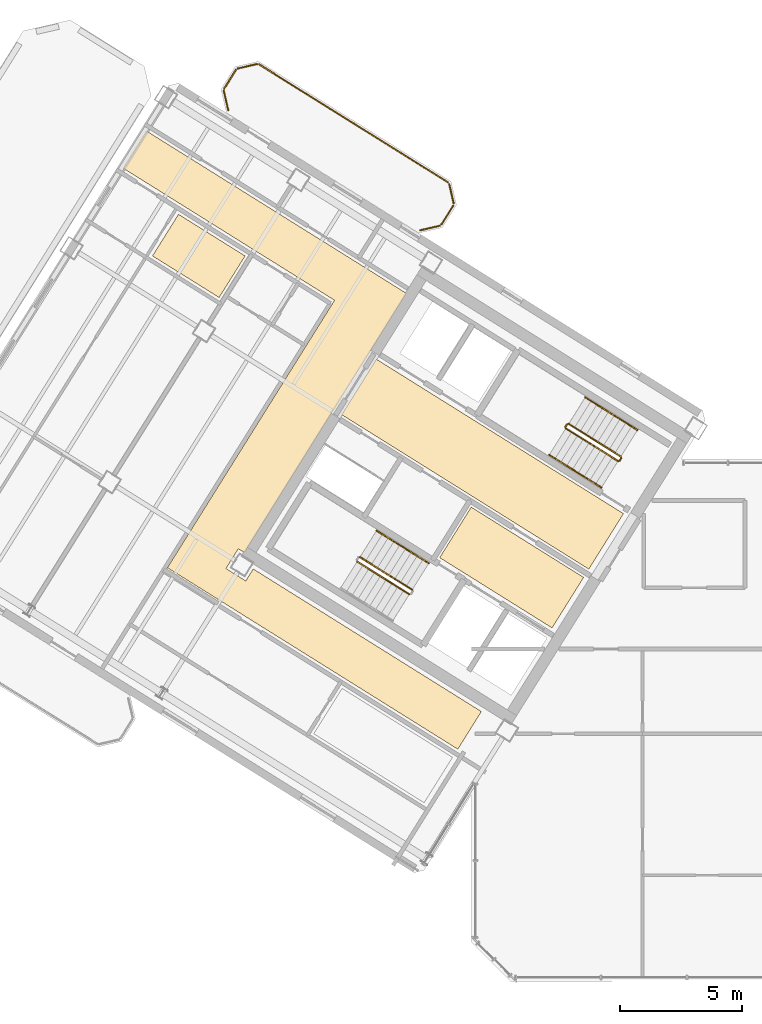
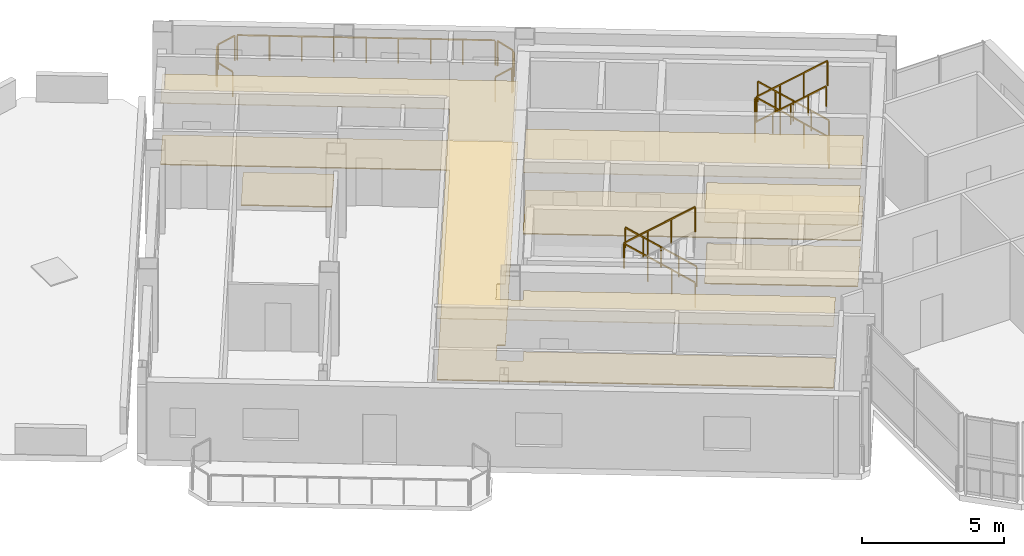
# One storey, part 12 of 12: 19 railings, 7 coverings.
"""IFC4 building model written with IfcOpenShell, lengths in metres."""

from ifc_helpers import new_model, si_unit, direction, frame, origin, origin_2d, place, context, subcontext, project, spatial, polyline, rectangle, outline, extrude, source, transform, mapped, material, layer, layer_set, type_object, element, save


model = new_model("IFC4")

# Units and contexts
model_context = context("Model", 3, precision=1e-05, world=origin(), true_north=direction((0.0, 1.0)))
body_context = subcontext(model_context, "Body", "Model", "MODEL_VIEW")
ifc_project = project(units=[si_unit("LENGTHUNIT", "METRE"), si_unit("AREAUNIT", "SQUARE_METRE"), si_unit("VOLUMEUNIT", "CUBIC_METRE"), si_unit("PLANEANGLEUNIT", "RADIAN"), si_unit("MASSUNIT", "GRAM", prefix="KILO")], contexts=[model_context])

# Site, building, storey
site_placement = place(None, origin())
site = spatial("IfcSite", under=ifc_project, at=site_placement, CompositionType="ELEMENT")
building_placement = place(site_placement, origin())
building = spatial("IfcBuilding", under=site, at=building_placement, Name="Tlacorven Tower", CompositionType="ELEMENT")
storey_placement = place(building_placement, frame((0.0, 0.0, 280.800048828125)))
storey = spatial("IfcBuildingStorey", under=building, at=storey_placement, Name="L71", CompositionType="ELEMENT", Elevation=280.800048828125)

# Coverings
ifc_material_1 = material(Name="Acoustic mineral-fibre ceiling")
ifc_layer_1 = layer(ifc_material_1, 0.02490234375)
ifc_layer_set_1 = layer_set([ifc_layer_1], Name="Acoustic mineral-fibre ceiling")
covering_type_1 = type_object("IfcCoveringType", Name="CV-CLG-ACST", PredefinedType="CEILING", material=ifc_layer_set_1)
covering_1_placement = place(storey_placement, frame((0.0, 0.0, 2.64990234375)))
element("IfcCovering", 1, at=covering_1_placement, inside=storey, type_object=covering_type_1, Name="L71 Acoustic Suspended Ceiling 1", PredefinedType="CEILING", context=body_context, shape_type="SweptSolid", body=[
    extrude(outline(polyline([(36.185302734375, 18.35595703125), (34.892333984375, 16.286865234375), (30.287353515625, 19.164306640625), (31.580322265625, 21.2333984375), (36.185302734375, 18.35595703125)])), origin(), (0.0, 0.0, 1.0), 0.025146484375),
])
covering_2_placement = place(storey_placement, frame((0.0, 0.0, 2.64990234375)))
element("IfcCovering", 2, at=covering_2_placement, inside=storey, type_object=covering_type_1, Name="L71 Acoustic Suspended Ceiling 2", PredefinedType="CEILING", context=body_context, shape_type="SweptSolid", body=[
    extrude(outline(polyline([(37.8173828125, 20.968017578125), (36.397216796875, 18.6953125), (26.271484375, 25.0224609375), (27.691650390625, 27.295166015625), (37.8173828125, 20.968017578125)])), origin(), (0.0, 0.0, 1.0), 0.025146484375),
])
covering_3_placement = place(storey_placement, frame((0.0, 0.0, 2.64990234375)))
element("IfcCovering", 3, at=covering_3_placement, inside=storey, type_object=covering_type_1, Name="L71 Acoustic Suspended Ceiling 3", PredefinedType="CEILING", context=body_context, shape_type="SweptSolid", body=[
    extrude(outline(polyline([(19.134033203125, 18.751953125), (25.980712890625, 29.708740234375), (17.313720703125, 35.12451171875), (18.267578125, 36.65087890625), (26.832763671875, 31.298828125), (28.927490234375, 29.98974609375), (22.291748046875, 19.37060546875), (22.0390625, 19.528564453125), (21.532470703125, 18.7177734375), (22.34326171875, 18.211181640625), (22.6494140625, 18.701416015625), (31.99658203125, 12.860595703125), (31.0322265625, 11.317138671875), (19.134033203125, 18.751953125)])), origin(), (0.0, 0.0, 1.0), 0.025146484375),
])
ifc_material_2 = material(Name="Terrazzo and ceramic flooring")
ifc_layer_2 = layer(ifc_material_2, 0.0400390625)
ifc_layer_set_2 = layer_set([ifc_layer_2], Name="Terrazzo and ceramic flooring")
covering_type_2 = type_object("IfcCoveringType", Name="CV-FLR-TERZ", PredefinedType="FLOORING", material=ifc_layer_set_2)
covering_4_placement = place(storey_placement, origin())
element("IfcCovering", 4, at=covering_4_placement, inside=storey, type_object=covering_type_2, Name="L71 Terrazzo Floor Finish 1", PredefinedType="FLOORING", context=body_context, shape_type="SweptSolid", body=[
    extrude(outline(polyline([(36.185302734375, 18.35595703125), (34.892333984375, 16.286865234375), (30.287353515625, 19.164306640625), (31.580322265625, 21.2333984375), (36.185302734375, 18.35595703125)])), origin(), (0.0, 0.0, 1.0), 0.0400390625),
])
covering_5_placement = place(storey_placement, origin())
element("IfcCovering", 5, at=covering_5_placement, inside=storey, type_object=covering_type_2, Name="L71 Terrazzo Floor Finish 2", PredefinedType="FLOORING", context=body_context, shape_type="SweptSolid", body=[
    extrude(outline(polyline([(37.8173828125, 20.968017578125), (36.397216796875, 18.6953125), (26.271484375, 25.0224609375), (27.691650390625, 27.295166015625), (37.8173828125, 20.968017578125)])), origin(), (0.0, 0.0, 1.0), 0.0400390625),
])
covering_6_placement = place(storey_placement, origin())
element("IfcCovering", 6, at=covering_6_placement, inside=storey, type_object=covering_type_2, Name="L71 Terrazzo Floor Finish 3", PredefinedType="FLOORING", context=body_context, shape_type="SweptSolid", body=[
    extrude(outline(polyline([(19.134033203125, 18.751953125), (25.980712890625, 29.708740234375), (17.313720703125, 35.12451171875), (18.267578125, 36.65087890625), (26.832763671875, 31.298828125), (28.927490234375, 29.98974609375), (22.291748046875, 19.37060546875), (22.0390625, 19.528564453125), (21.532470703125, 18.7177734375), (22.34326171875, 18.211181640625), (22.6494140625, 18.701416015625), (31.99658203125, 12.860595703125), (31.0322265625, 11.317138671875), (19.134033203125, 18.751953125)])), origin(), (0.0, 0.0, 1.0), 0.0400390625),
])
covering_7_placement = place(storey_placement, origin())
element("IfcCovering", 7, at=covering_7_placement, inside=storey, type_object=covering_type_2, Name="L71 Porcelain Wet-Room Floor Finish 4", PredefinedType="FLOORING", context=body_context, shape_type="SweptSolid", body=[
    extrude(outline(polyline([(22.317138671875, 31.526123046875), (21.251953125, 29.82177734375), (18.521240234375, 31.528076171875), (19.58642578125, 33.232666015625), (22.317138671875, 31.526123046875)])), origin(), (0.0, 0.0, 1.0), 0.0400390625),
])

# Railings
ifc_material_3 = material(Name="Aluminium and painted steel balustrade", Category="steel")
railing_type_1 = type_object("IfcRailingType", Name="RL-BAL-1100", PredefinedType="BALUSTRADE", material=ifc_material_3)
shared_shape_1 = source(origin(), body_context, "Body", "SweptSolid", [
    extrude(rectangle(XDim=0.048095703125, YDim=0.048095703125, at=origin_2d()), frame((0.0, 0.0, 1.076171875), z_axis=(0.225058334816, -0.974345290916, 0.0), x_axis=(0.974345290916, 0.225058334816, 0.0)), (0.0, 0.0, 1.0), 0.80712890625),
    extrude(rectangle(XDim=0.0419921875, YDim=0.0419921875, at=origin_2d()), origin(), (0.0, 0.0, 1.0), 1.052001953125),
    extrude(rectangle(XDim=0.0419921875, YDim=0.0419921875, at=origin_2d()), frame((0.181640625, -0.786376953125, 0.0)), (0.0, 0.0, 1.0), 1.052001953125),
])
railing_1_placement = place(storey_placement, frame((30.6796875, 34.466064453125, 0.0)))
element("IfcRailing", 8, at=railing_1_placement, inside=storey, type_object=railing_type_1, Name="BAL-L71-W-IN Guard Railing 1", PredefinedType="BALUSTRADE", context=body_context, shape_type="MappedRepresentation", body=[
    mapped(shared_shape_1, transform((0.0, 0.0, 0.0), scale=1.0)),
])
shared_shape_2 = source(origin(), body_context, "Body", "SweptSolid", [
    extrude(rectangle(XDim=0.048095703125, YDim=0.048095703125, at=origin_2d()), frame((0.0, 0.0, 1.076171875), z_axis=(-0.52987865805, -0.848073468364, 0.0), x_axis=(0.848073468364, -0.52987865805, 0.0)), (0.0, 0.0, 1.0), 0.912353515625),
    extrude(rectangle(XDim=0.0419921875, YDim=0.0419921875, at=origin_2d()), origin(), (0.0, 0.0, 1.0), 1.052001953125),
    extrude(rectangle(XDim=0.0419921875, YDim=0.0419921875, at=origin_2d()), frame((-0.4833984375, -0.773681640625, 0.0)), (0.0, 0.0, 1.0), 1.052001953125),
])
railing_2_placement = place(storey_placement, frame((30.845947265625, 33.588623046875, 0.0)))
element("IfcRailing", 9, at=railing_2_placement, inside=storey, type_object=railing_type_1, Name="BAL-L71-W-IN Guard Railing 2", PredefinedType="BALUSTRADE", context=body_context, shape_type="MappedRepresentation", body=[
    mapped(shared_shape_2, transform((0.0, 0.0, 0.0), scale=1.0)),
])
shared_shape_3 = source(origin(), body_context, "Body", "SweptSolid", [
    extrude(rectangle(XDim=0.048095703125, YDim=0.048095703125, at=origin_2d()), frame((0.0, 0.0, 1.076171875), z_axis=(-0.225058334816, 0.974345290916, 0.0), x_axis=(-0.974345290916, -0.225058334816, 0.0)), (0.0, 0.0, 1.0), 0.80712890625),
    extrude(rectangle(XDim=0.0419921875, YDim=0.0419921875, at=origin_2d()), origin(), (0.0, 0.0, 1.0), 1.052001953125),
    extrude(rectangle(XDim=0.0419921875, YDim=0.0419921875, at=origin_2d()), frame((-0.181640625, 0.786376953125, 0.0)), (0.0, 0.0, 1.0), 1.052001953125),
])
railing_3_placement = place(storey_placement, frame((21.62451171875, 37.501708984375, 0.0)))
element("IfcRailing", 10, at=railing_3_placement, inside=storey, type_object=railing_type_1, Name="BAL-L71-W-IN Guard Railing 4", PredefinedType="BALUSTRADE", context=body_context, shape_type="MappedRepresentation", body=[
    mapped(shared_shape_3, transform((0.0, 0.0, 0.0), scale=1.0)),
])
shared_shape_4 = source(origin(), body_context, "Body", "SweptSolid", [
    extrude(rectangle(XDim=0.048095703125, YDim=0.048095703125, at=origin_2d()), frame((0.0, 0.0, 1.076171875), z_axis=(0.52987865805, 0.848073468364, 0.0), x_axis=(-0.848073468364, 0.52987865805, 0.0)), (0.0, 0.0, 1.0), 0.912353515625),
    extrude(rectangle(XDim=0.0419921875, YDim=0.0419921875, at=origin_2d()), origin(), (0.0, 0.0, 1.0), 1.052001953125),
    extrude(rectangle(XDim=0.0419921875, YDim=0.0419921875, at=origin_2d()), frame((0.4833984375, 0.773681640625, 0.0)), (0.0, 0.0, 1.0), 1.052001953125),
])
railing_4_placement = place(storey_placement, frame((21.4580078125, 38.379150390625, 0.0)))
element("IfcRailing", 11, at=railing_4_placement, inside=storey, type_object=railing_type_1, Name="BAL-L71-W-IN Guard Railing 5", PredefinedType="BALUSTRADE", context=body_context, shape_type="MappedRepresentation", body=[
    mapped(shared_shape_4, transform((0.0, 0.0, 0.0), scale=1.0)),
])
shared_shape_5 = source(origin(), body_context, "Body", "SweptSolid", [
    extrude(rectangle(XDim=0.048095703125, YDim=0.048095703125, at=origin_2d()), frame((0.0, 0.0, 1.076171875), z_axis=(-0.974345290916, -0.225058334816, 0.0), x_axis=(0.225058334816, -0.974345290916, 0.0)), (0.0, 0.0, 1.0), 0.80712890625),
    extrude(rectangle(XDim=0.0419921875, YDim=0.0419921875, at=origin_2d()), origin(), (0.0, 0.0, 1.0), 1.052001953125),
    extrude(rectangle(XDim=0.0419921875, YDim=0.0419921875, at=origin_2d()), frame((-0.786376953125, -0.181640625, 0.0)), (0.0, 0.0, 1.0), 1.052001953125),
])
railing_5_placement = place(storey_placement, frame((30.287353515625, 32.761474609375, 0.0)))
element("IfcRailing", 12, at=railing_5_placement, inside=storey, type_object=railing_type_1, Name="BAL-L71-W-IN Guard Railing 3", PredefinedType="BALUSTRADE", context=body_context, shape_type="MappedRepresentation", body=[
    mapped(shared_shape_5, transform((0.0, 0.0, 0.0), scale=1.0)),
])
shared_shape_6 = source(origin(), body_context, "Body", "SweptSolid", [
    extrude(rectangle(XDim=0.048095703125, YDim=0.048095703125, at=origin_2d()), frame((0.0, 0.0, 1.076171875), z_axis=(0.974360606036, 0.224992020761, 0.0), x_axis=(-0.224992020761, 0.974360606036, 0.0)), (0.0, 0.0, 1.0), 0.807373046875),
    extrude(rectangle(XDim=0.0419921875, YDim=0.0419921875, at=origin_2d()), origin(), (0.0, 0.0, 1.0), 1.052001953125),
    extrude(rectangle(XDim=0.0419921875, YDim=0.0419921875, at=origin_2d()), frame((0.78662109375, 0.181640625, 0.0)), (0.0, 0.0, 1.0), 1.052001953125),
])
railing_6_placement = place(storey_placement, frame((22.0166015625, 39.206298828125, 0.0)))
element("IfcRailing", 13, at=railing_6_placement, inside=storey, type_object=railing_type_1, Name="BAL-L71-W-IN Guard Railing 6", PredefinedType="BALUSTRADE", context=body_context, shape_type="MappedRepresentation", body=[
    mapped(shared_shape_6, transform((0.0, 0.0, 0.0), scale=1.0)),
])
shared_shape_7 = source(origin(), body_context, "Body", "SweptSolid", [
    extrude(rectangle(XDim=0.048095703125, YDim=0.048095703125, at=origin_2d()), frame((0.0, 0.0, 1.076171875), z_axis=(0.848035911573, -0.529938763144, 0.0), x_axis=(0.529938763144, 0.848035911573, 0.0)), (0.0, 0.0, 1.0), 9.1171875),
    extrude(rectangle(XDim=0.0419921875, YDim=0.0419921875, at=origin_2d()), origin(), (0.0, 0.0, 1.0), 1.052001953125),
    extrude(rectangle(XDim=0.0419921875, YDim=0.0419921875, at=origin_2d()), frame((0.966552734375, -0.60400390625, 0.0)), (0.0, 0.0, 1.0), 1.052001953125),
    extrude(rectangle(XDim=0.0419921875, YDim=0.0419921875, at=origin_2d()), frame((1.932861328125, -1.2080078125, 0.0)), (0.0, 0.0, 1.0), 1.052001953125),
    extrude(rectangle(XDim=0.0419921875, YDim=0.0419921875, at=origin_2d()), frame((2.8994140625, -1.811767578125, 0.0)), (0.0, 0.0, 1.0), 1.052001953125),
    extrude(rectangle(XDim=0.0419921875, YDim=0.0419921875, at=origin_2d()), frame((3.86572265625, -2.415771484375, 0.0)), (0.0, 0.0, 1.0), 1.052001953125),
    extrude(rectangle(XDim=0.0419921875, YDim=0.0419921875, at=origin_2d()), frame((4.832275390625, -3.019775390625, 0.0)), (0.0, 0.0, 1.0), 1.052001953125),
    extrude(rectangle(XDim=0.0419921875, YDim=0.0419921875, at=origin_2d()), frame((5.798828125, -3.62353515625, 0.0)), (0.0, 0.0, 1.0), 1.052001953125),
    extrude(rectangle(XDim=0.0419921875, YDim=0.0419921875, at=origin_2d()), frame((6.76513671875, -4.2275390625, 0.0)), (0.0, 0.0, 1.0), 1.052001953125),
    extrude(rectangle(XDim=0.0419921875, YDim=0.0419921875, at=origin_2d()), frame((7.731689453125, -4.83154296875, 0.0)), (0.0, 0.0, 1.0), 1.052001953125),
])
railing_7_placement = place(storey_placement, frame((22.894287109375, 39.372802734375, 0.0)))
element("IfcRailing", 14, at=railing_7_placement, inside=storey, type_object=railing_type_1, Name="BAL-L71-W-IN Guard Railing 7", PredefinedType="BALUSTRADE", context=body_context, shape_type="MappedRepresentation", body=[
    mapped(shared_shape_7, transform((0.0, 0.0, 0.0), scale=1.0)),
])
railing_type_2 = type_object("IfcRailingType", Name="RL-GRD-1100", PredefinedType="GUARDRAIL", material=ifc_material_3)
shared_shape_8 = source(origin(), body_context, "Body", "SweptSolid", [
    extrude(rectangle(XDim=0.048095703125, YDim=0.048095703125, at=origin_2d()), frame((0.0, 0.0, 1.076171875), z_axis=(-0.713319727316, 0.445773895627, 0.540796265334), x_axis=(-0.529955395941, -0.84802551749, 0.0)), (0.0, 0.0, 1.0), 2.995849609375),
    extrude(rectangle(XDim=0.0419921875, YDim=0.0419921875, at=origin_2d()), origin(), (0.0, 0.0, 1.0), 1.052001953125),
    extrude(rectangle(XDim=0.0419921875, YDim=0.0419921875, at=origin_2d()), frame((-0.71240234375, 0.445068359375, 0.5400390625)), (0.0, 0.0, 1.0), 1.052001953125),
    extrude(rectangle(XDim=0.0419921875, YDim=0.0419921875, at=origin_2d()), frame((-1.424560546875, 0.890380859375, 1.080078125)), (0.0, 0.0, 1.0), 1.052001953125),
    extrude(rectangle(XDim=0.0419921875, YDim=0.0419921875, at=origin_2d()), frame((-2.136962890625, 1.33544921875, 1.6201171875)), (0.0, 0.0, 1.0), 1.052001953125),
])
for number, where, name in (
    (15, (29.16064453125, 17.851806640625, 0.179931640625), "L71 ST-W1 stair guard 1"),
    (16, (37.712158203125, 23.3095703125, 0.179931640625), "L71 ST-W2 stair guard 1"),
):
    element("IfcRailing", number, at=place(storey_placement, frame(where)), inside=storey, type_object=railing_type_2, Name=name, PredefinedType="GUARDRAIL", context=body_context, shape_type="MappedRepresentation", body=[
        mapped(shared_shape_8, transform((0.0, 0.0, 0.0), scale=1.0)),
    ])
shared_shape_9 = source(origin(), body_context, "Body", "SweptSolid", [
    extrude(rectangle(XDim=0.048095703125, YDim=0.048095703125, at=origin_2d()), frame((0.0, 0.0, 1.076171875), z_axis=(-0.530546985787, -0.847655529016, 0.0), x_axis=(0.847655529016, -0.530546985787, 0.0)), (0.0, 0.0, 1.0), 0.1201171875),
    extrude(rectangle(XDim=0.0419921875, YDim=0.0419921875, at=origin_2d()), origin(), (0.0, 0.0, 1.0), 1.052001953125),
    extrude(rectangle(XDim=0.0419921875, YDim=0.0419921875, at=origin_2d()), frame((-0.063720703125, -0.101806640625, 0.0)), (0.0, 0.0, 1.0), 1.052001953125),
])
railing_8_placement = place(storey_placement, frame((37.728271484375, 23.24072265625, 0.0)))
element("IfcRailing", 17, at=railing_8_placement, inside=storey, type_object=railing_type_2, Name="L71 ST-W2 stair guard 4", PredefinedType="GUARDRAIL", context=body_context, shape_type="MappedRepresentation", body=[
    mapped(shared_shape_9, transform((0.0, 0.0, 0.0), scale=1.0)),
])
railing_type_3 = type_object("IfcRailingType", Name="RL-HND-0900", PredefinedType="HANDRAIL", material=ifc_material_3)
shared_shape_10 = source(origin(), body_context, "Body", "SweptSolid", [
    extrude(rectangle(XDim=0.048095703125, YDim=0.048095703125, at=origin_2d()), frame((0.0, 0.0, 0.8759765625), z_axis=(-0.713359751793, 0.4457479829, 0.540764828981), x_axis=(-0.529911857636, -0.848052724267, 0.0)), (0.0, 0.0, 1.0), 1.498046875),
    extrude(rectangle(XDim=0.0419921875, YDim=0.0419921875, at=origin_2d()), origin(), (0.0, 0.0, 1.0), 0.851806640625),
    extrude(rectangle(XDim=0.0419921875, YDim=0.0419921875, at=origin_2d()), frame((-0.5341796875, 0.333984375, 0.405029296875)), (0.0, 0.0, 1.0), 0.851806640625),
    extrude(rectangle(XDim=0.0419921875, YDim=0.0419921875, at=origin_2d()), frame((-1.068603515625, 0.667724609375, 0.81005859375)), (0.0, 0.0, 1.0), 0.851806640625),
])
for number, where, name in (
    (18, (29.839111328125, 18.937255859375, 0.179931640625), "L71 ST-W1 stair handrail 1"),
    (19, (28.7705078125, 19.60498046875, 0.989990234375), "L71 ST-W1 stair handrail 2"),
    (20, (38.390625, 24.39501953125, 0.179931640625), "L71 ST-W2 stair handrail 1"),
    (21, (37.322021484375, 25.062744140625, 0.989990234375), "L71 ST-W2 stair handrail 2"),
):
    element("IfcRailing", number, at=place(storey_placement, frame(where)), inside=storey, type_object=railing_type_3, Name=name, PredefinedType="HANDRAIL", context=body_context, shape_type="MappedRepresentation", body=[
        mapped(shared_shape_10, transform((0.0, 0.0, 0.0), scale=1.0)),
    ])
shared_shape_11 = source(origin(), body_context, "Body", "SweptSolid", [
    extrude(rectangle(XDim=0.048095703125, YDim=0.048095703125, at=origin_2d()), frame((0.0, 0.0, 0.8759765625), z_axis=(0.713359751793, -0.4457479829, 0.540764828981), x_axis=(0.529911857636, 0.848052724267, 0.0)), (0.0, 0.0, 1.0), 1.498046875),
    extrude(rectangle(XDim=0.0419921875, YDim=0.0419921875, at=origin_2d()), origin(), (0.0, 0.0, 1.0), 0.851806640625),
    extrude(rectangle(XDim=0.0419921875, YDim=0.0419921875, at=origin_2d()), frame((0.5341796875, -0.333984375, 0.405029296875)), (0.0, 0.0, 1.0), 0.851806640625),
    extrude(rectangle(XDim=0.0419921875, YDim=0.0419921875, at=origin_2d()), frame((1.068603515625, -0.667724609375, 0.81005859375)), (0.0, 0.0, 1.0), 0.851806640625),
])
railing_9_placement = place(storey_placement, frame((34.7802734375, 23.372802734375, 1.97998046875)))
element("IfcRailing", 22, at=railing_9_placement, inside=storey, type_object=railing_type_3, Name="L71 ST-W2 stair handrail 3", PredefinedType="HANDRAIL", context=body_context, shape_type="MappedRepresentation", body=[
    mapped(shared_shape_11, transform((0.0, 0.0, 0.0), scale=1.0)),
])
shared_shape_12 = source(origin(), body_context, "Body", "SweptSolid", [
    extrude(rectangle(XDim=0.048095703125, YDim=0.048095703125, at=origin_2d()), frame((0.0, 0.0, 1.076171875), z_axis=(0.71339118691, -0.44576762536, 0.540707165313), x_axis=(0.529911857636, 0.848052724267, 0.0)), (0.0, 0.0, 1.0), 2.995849609375),
    extrude(rectangle(XDim=0.0419921875, YDim=0.0419921875, at=origin_2d()), origin(), (0.0, 0.0, 1.0), 1.052001953125),
    extrude(rectangle(XDim=0.0419921875, YDim=0.0419921875, at=origin_2d()), frame((0.71240234375, -0.445068359375, 0.5400390625)), (0.0, 0.0, 1.0), 1.052001953125),
    extrude(rectangle(XDim=0.0419921875, YDim=0.0419921875, at=origin_2d()), frame((1.4248046875, -0.890380859375, 1.079833984375)), (0.0, 0.0, 1.0), 1.052001953125),
    extrude(rectangle(XDim=0.0419921875, YDim=0.0419921875, at=origin_2d()), frame((2.13720703125, -1.33544921875, 1.619873046875)), (0.0, 0.0, 1.0), 1.052001953125),
])
railing_10_placement = place(storey_placement, frame((26.906982421875, 19.000732421875, 1.97998046875)))
element("IfcRailing", 23, at=railing_10_placement, inside=storey, type_object=railing_type_2, Name="L71 ST-W1 stair guard 3", PredefinedType="GUARDRAIL", context=body_context, shape_type="MappedRepresentation", body=[
    mapped(shared_shape_12, transform((0.0, 0.0, 0.0), scale=1.0)),
])
shared_shape_13 = source(origin(), body_context, "Body", "SweptSolid", [
    extrude(rectangle(XDim=0.048095703125, YDim=0.048095703125, at=origin_2d()), frame((0.0, 0.0, 0.8759765625), z_axis=(0.713422621445, -0.445787267455, 0.540649494022), x_axis=(0.529911857636, 0.848052724267, 0.0)), (0.0, 0.0, 1.0), 1.497802734375),
    extrude(rectangle(XDim=0.0419921875, YDim=0.0419921875, at=origin_2d()), origin(), (0.0, 0.0, 1.0), 0.851806640625),
    extrude(rectangle(XDim=0.0419921875, YDim=0.0419921875, at=origin_2d()), frame((0.5341796875, -0.333984375, 0.40478515625)), (0.0, 0.0, 1.0), 0.851806640625),
    extrude(rectangle(XDim=0.0419921875, YDim=0.0419921875, at=origin_2d()), frame((1.068603515625, -0.667724609375, 0.809814453125)), (0.0, 0.0, 1.0), 0.851806640625),
])
railing_11_placement = place(storey_placement, frame((35.848876953125, 22.705078125, 2.7900390625)))
element("IfcRailing", 24, at=railing_11_placement, inside=storey, type_object=railing_type_3, Name="L71 ST-W2 stair handrail 4", PredefinedType="HANDRAIL", context=body_context, shape_type="MappedRepresentation", body=[
    mapped(shared_shape_13, transform((0.0, 0.0, 0.0), scale=1.0)),
])
shared_shape_14 = source(origin(), body_context, "Body", "SweptSolid", [
    extrude(rectangle(XDim=0.048095703125, YDim=0.048095703125, at=origin_2d()), frame((0.0, 0.0, 1.076171875), z_axis=(-0.531462422766, -0.847081869236, 0.0), x_axis=(0.847081869236, -0.531462422766, 0.0)), (0.0, 0.0, 1.0), 0.119873046875),
    extrude(rectangle(XDim=0.0419921875, YDim=0.0419921875, at=origin_2d()), origin(), (0.0, 0.0, 1.0), 1.052001953125),
    extrude(rectangle(XDim=0.0419921875, YDim=0.0419921875, at=origin_2d()), frame((-0.063720703125, -0.1015625, 0.0)), (0.0, 0.0, 1.0), 1.052001953125),
])
railing_12_placement = place(storey_placement, frame((35.50634765625, 24.62890625, 1.800048828125)))
element("IfcRailing", 25, at=railing_12_placement, inside=storey, type_object=railing_type_2, Name="L71 ST-W2 stair guard 2", PredefinedType="GUARDRAIL", context=body_context, shape_type="MappedRepresentation", body=[
    mapped(shared_shape_14, transform((0.0, 0.0, 0.0), scale=1.0)),
])
shared_shape_15 = source(origin(), body_context, "Body", "SweptSolid", [
    extrude(rectangle(XDim=0.048095703125, YDim=0.048095703125, at=origin_2d()), frame((0.0, 0.0, 1.076171875), z_axis=(0.713417101326, -0.445702322042, 0.540726806865), x_axis=(0.52984217967, 0.848096259066, 0.0)), (0.0, 0.0, 1.0), 2.995849609375),
    extrude(rectangle(XDim=0.0419921875, YDim=0.0419921875, at=origin_2d()), origin(), (0.0, 0.0, 1.0), 1.052001953125),
    extrude(rectangle(XDim=0.0419921875, YDim=0.0419921875, at=origin_2d()), frame((0.71240234375, -0.445068359375, 0.5400390625)), (0.0, 0.0, 1.0), 1.052001953125),
    extrude(rectangle(XDim=0.0419921875, YDim=0.0419921875, at=origin_2d()), frame((1.4248046875, -0.89013671875, 1.079833984375)), (0.0, 0.0, 1.0), 1.052001953125),
    extrude(rectangle(XDim=0.0419921875, YDim=0.0419921875, at=origin_2d()), frame((2.13720703125, -1.335205078125, 1.619873046875)), (0.0, 0.0, 1.0), 1.052001953125),
])
railing_13_placement = place(storey_placement, frame((35.45849609375, 24.458251953125, 1.97998046875)))
element("IfcRailing", 26, at=railing_13_placement, inside=storey, type_object=railing_type_2, Name="L71 ST-W2 stair guard 3", PredefinedType="GUARDRAIL", context=body_context, shape_type="MappedRepresentation", body=[
    mapped(shared_shape_15, transform((0.0, 0.0, 0.0), scale=1.0)),
])

save(model, "model.ifc")
